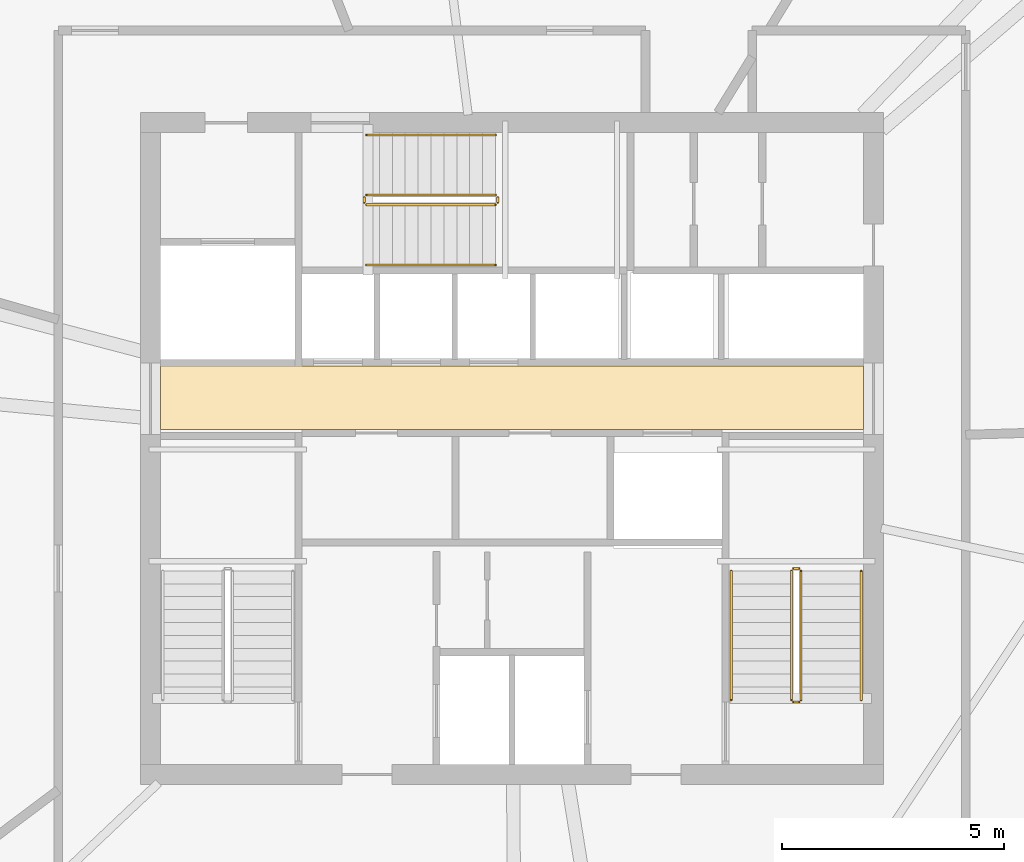
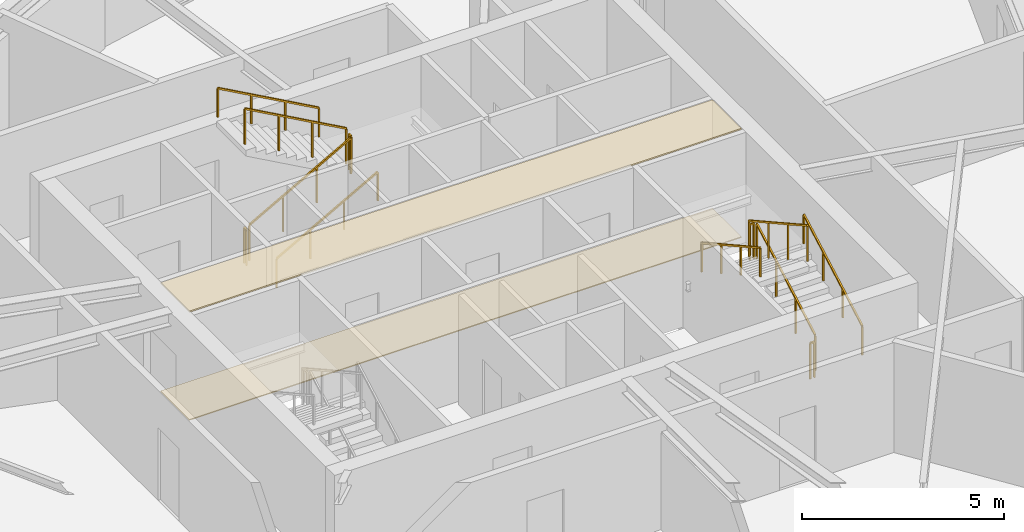
# One storey, part 12 of 13: 12 railings, 2 coverings.
"""IFC4 building model written with IfcOpenShell, lengths in metres."""

import ifcopenshell
import ifcopenshell.guid

model = None  # the IFC model being written
_history = None  # IfcOwnerHistory: only IFC2X3 demands one
_inside = {}  # id of a spatial element -> (the spatial element, [elements in it])
_under = {}  # id of a project, library or spatial element -> (it, [spatial elements below it])
_declared = {}  # id of a project -> (the project, [libraries it declares])
_typed = {}  # id of a type object -> (the type object, [elements of that type])
_made_of = {}  # id of a material, layer set ... -> (it, [elements and type objects made of it])


def new_model(schema):
    """Start an empty IFC model of exactly this schema.

    Asked for "IFC4X3", IfcOpenShell would pick the latest addendum, in which some entities
    have other attributes; the version numbers below select the first issue.
    IFC2X3 requires an IfcOwnerHistory on every rooted entity: one is made here for all.
    """
    global model, _history
    if schema == "IFC4X3":
        model = ifcopenshell.file(schema_version=(4, 3, 0, 0))
    else:
        model = ifcopenshell.file(schema=schema)
    _inside.clear()
    _under.clear()
    _declared.clear()
    _typed.clear()
    _made_of.clear()
    _history = None
    if model.schema == "IFC2X3":
        org = make("IfcOrganization", Name="unknown")
        user = make(
            "IfcPersonAndOrganization",
            ThePerson=make("IfcPerson", FamilyName="unknown"),
            TheOrganization=org,
        )
        app = make(
            "IfcApplication",
            ApplicationDeveloper=org,
            Version="unknown",
            ApplicationFullName="unknown",
            ApplicationIdentifier="unknown",
        )
        _history = make(
            "IfcOwnerHistory",
            OwningUser=user,
            OwningApplication=app,
            ChangeAction="ADDED",
            CreationDate=0,
        )
    return model


def make(cls, **values):
    """One entity of the class cls with the attributes given. An attribute that is None is left unset."""
    return model.create_entity(
        cls, **{name: value for name, value in values.items() if value is not None}
    )


def rooted(cls, **values):
    """An entity with a GlobalId (a new one), such as an element, a storey or a relation."""
    return make(cls, GlobalId=ifcopenshell.guid.new(), OwnerHistory=_history, **values)


def si_unit(unit_type, name, prefix=None):
    """IfcSIUnit, for example si_unit("LENGTHUNIT", "METRE", prefix="MILLI")."""
    return make("IfcSIUnit", UnitType=unit_type, Prefix=prefix, Name=name)


def assignment(units):
    """IfcUnitAssignment: the units of a project."""
    return None if units is None else make("IfcUnitAssignment", Units=units)


def point(xyz):
    """IfcCartesianPoint."""
    return None if xyz is None else make("IfcCartesianPoint", Coordinates=xyz)


def direction(xyz):
    """IfcDirection."""
    return None if xyz is None else make("IfcDirection", DirectionRatios=xyz)


def frame(location, z_axis=None, x_axis=None):
    """IfcAxis2Placement3D, a coordinate frame: its origin and axes. An axis left out is left unset."""
    return make(
        "IfcAxis2Placement3D",
        Location=point(location),
        Axis=direction(z_axis),
        RefDirection=direction(x_axis),
    )


def frame_2d(location, x_axis=None):
    """IfcAxis2Placement2D, a coordinate frame in the plane: its origin and x axis."""
    return make(
        "IfcAxis2Placement2D", Location=point(location), RefDirection=direction(x_axis)
    )


def origin():
    """The frame at (0, 0, 0) with its axes left unset."""
    return frame((0.0, 0.0, 0.0))


def origin_2d():
    """The frame at (0, 0) in the plane with its x axis left unset."""
    return frame_2d((0.0, 0.0))


def place(relative_to, where):
    """IfcLocalPlacement: puts the frame where relative to a parent placement (None: the world)."""
    return make(
        "IfcLocalPlacement", PlacementRelTo=relative_to, RelativePlacement=where
    )


def context(
    kind, dimensions, precision=None, world=None, true_north=None, identifier=None
):
    """IfcGeometricRepresentationContext, for example the 3D "Model" context."""
    return make(
        "IfcGeometricRepresentationContext",
        ContextIdentifier=identifier,
        ContextType=kind,
        CoordinateSpaceDimension=dimensions,
        Precision=precision,
        WorldCoordinateSystem=world,
        TrueNorth=true_north,
    )


def subcontext(parent, identifier, kind, view, scale=None):
    """IfcGeometricRepresentationSubContext, for example "Body" below "Model"."""
    return make(
        "IfcGeometricRepresentationSubContext",
        ContextIdentifier=identifier,
        ContextType=kind,
        ParentContext=parent,
        TargetScale=scale,
        TargetView=view,
    )


def project(units=None, contexts=None):
    """IfcProject with its units and contexts."""
    return rooted(
        "IfcProject",
        Name="project",
        RepresentationContexts=contexts,
        UnitsInContext=assignment(units),
    )


def spatial(cls, under=None, at=None, **own):
    """A site, building, storey or space (cls), placed at a placement, below another one or the project."""
    s = rooted(cls, ObjectPlacement=at, **own)
    if under is not None:
        _under.setdefault(under.id(), (under, []))[1].append(s)
    return s


def polyline(points):
    """IfcPolyline through the points."""
    return make("IfcPolyline", Points=[point(p) for p in points])


def profile(cls, at=None, kind="AREA", **sizes):
    """A parametric profile (cls). Its sizes go by their IFC names, for example OverallWidth=200.0."""
    return make(cls, ProfileType=kind, Position=at, **sizes)


def rectangle(**sizes):
    """IfcRectangleProfileDef."""
    return profile("IfcRectangleProfileDef", **sizes)


def outline(outer, holes=None, kind="AREA"):
    """IfcArbitraryClosedProfileDef: a profile drawn as a closed curve; with holes, ...WithVoids."""
    if holes is None:
        return make("IfcArbitraryClosedProfileDef", ProfileType=kind, OuterCurve=outer)
    return make(
        "IfcArbitraryProfileDefWithVoids",
        ProfileType=kind,
        OuterCurve=outer,
        InnerCurves=holes,
    )


def extrude(swept, where, along, depth):
    """IfcExtrudedAreaSolid: the profile swept, set in the frame where, extruded along a direction by depth."""
    return make(
        "IfcExtrudedAreaSolid",
        SweptArea=swept,
        Position=where,
        ExtrudedDirection=direction(along),
        Depth=depth,
    )


def shape(context_of_items, identifier, shape_type, items):
    """IfcShapeRepresentation: the items that make up one representation, for example the "Body"."""
    return make(
        "IfcShapeRepresentation",
        ContextOfItems=context_of_items,
        RepresentationIdentifier=identifier,
        RepresentationType=shape_type,
        Items=items,
    )


def material(Name=None, Category=None):
    """IfcMaterial."""
    return make("IfcMaterial", Name=Name, Category=Category)


def layer(
    of_material, thickness, ventilated=None, Name=None, Category=None, Priority=None
):
    """IfcMaterialLayer: one layer of a wall or slab, of a material (None: an air gap)."""
    return make(
        "IfcMaterialLayer",
        Material=of_material,
        LayerThickness=thickness,
        IsVentilated=ventilated,
        Name=Name,
        Category=Category,
        Priority=Priority,
    )


def layer_set(layers, Name=None):
    """IfcMaterialLayerSet."""
    return make("IfcMaterialLayerSet", MaterialLayers=layers, LayerSetName=Name)


def made_of(thing, what):
    """Note that an element or type object is made of a material, layer set ...; save() writes the relation."""
    if what is not None:
        _made_of.setdefault(what.id(), (what, []))[1].append(thing)
    return thing


def type_object(cls, material=None, **own):
    """A type object (cls), such as IfcWallType, which elements share."""
    return made_of(rooted(cls, **own), material)


def element(
    cls,
    number,
    at=None,
    inside=None,
    cuts=None,
    type_object=None,
    material=None,
    context=None,
    identifier="Body",
    shape_type=None,
    held_by="IfcProductDefinitionShape",
    body=None,
    shapes=None,
    **own,
):
    """One element of the class cls, such as IfcWall. Its Tag is "e" and its number.

    at: its placement. inside: the storey or other place that contains it. cuts: it is an
    opening in that element (IfcRelVoidsElement). A single representation is given by context,
    identifier, shape_type and body (its items); several are given by shapes. held_by: the class
    of the entity that holds the representations. save() writes the other relations.
    """
    e = rooted(cls, Tag="e%d" % number, ObjectPlacement=at, **own)
    if body is not None:
        shapes = [shape(context, identifier, shape_type, body)]
    if shapes is not None:
        e.Representation = make(held_by, Representations=shapes)
    if inside is not None:
        _inside.setdefault(inside.id(), (inside, []))[1].append(e)
    if cuts is not None:
        rooted(
            "IfcRelVoidsElement", RelatingBuildingElement=cuts, RelatedOpeningElement=e
        )
    if type_object is not None:
        _typed.setdefault(type_object.id(), (type_object, []))[1].append(e)
    return made_of(e, material)


def aggregate(whole, parts):
    """IfcRelAggregates: a whole, such as a stair, and the parts it consists of."""
    return rooted("IfcRelAggregates", RelatingObject=whole, RelatedObjects=parts)


def save(model, path):
    """Write the relations noted so far, then the file.

    IfcRelAggregates (storeys below a building ...), IfcRelContainedInSpatialStructure (elements
    in a storey), IfcRelDefinesByType, IfcRelAssociatesMaterial and IfcRelDeclares: one each for
    every whole, place, type object, material and project.
    """
    for whole, parts in _under.values():
        aggregate(whole, parts)
    for where, things in _inside.values():
        rooted(
            "IfcRelContainedInSpatialStructure",
            RelatedElements=things,
            RelatingStructure=where,
        )
    for kind, things in _typed.values():
        rooted("IfcRelDefinesByType", RelatedObjects=things, RelatingType=kind)
    for what, things in _made_of.values():
        rooted("IfcRelAssociatesMaterial", RelatedObjects=things, RelatingMaterial=what)
    for by, libraries in _declared.values():
        rooted("IfcRelDeclares", RelatingContext=by, RelatedDefinitions=libraries)
    model.write(path)


model = new_model("IFC4")

# Units and contexts
model_context = context("Model", 3, precision=1e-05, world=origin(), true_north=direction((0.0, 1.0)))
body_context = subcontext(model_context, "Body", "Model", "MODEL_VIEW")
ifc_project = project(units=[si_unit("LENGTHUNIT", "METRE"), si_unit("AREAUNIT", "SQUARE_METRE"), si_unit("VOLUMEUNIT", "CUBIC_METRE"), si_unit("PLANEANGLEUNIT", "RADIAN"), si_unit("MASSUNIT", "GRAM", prefix="KILO")], contexts=[model_context])

# Site, building, storey
site_placement = place(None, origin())
site = spatial("IfcSite", under=ifc_project, at=site_placement, CompositionType="ELEMENT")
building_placement = place(site_placement, origin())
building = spatial("IfcBuilding", under=site, at=building_placement, Name="Olszyna Solenne Hotel", CompositionType="ELEMENT")
storey_placement = place(building_placement, frame((0.0, 0.0, 209.60009765625)))
storey = spatial("IfcBuildingStorey", under=building, at=storey_placement, Name="L55", CompositionType="ELEMENT", Elevation=209.60009765625)

# Coverings
ifc_material_1 = material(Name="Mineral wool acoustic ceiling")
ifc_layer_1 = layer(ifc_material_1, 0.0400390625, Name="Mineral wool acoustic ceiling")
ifc_layer_set_1 = layer_set([ifc_layer_1], Name="Mineral wool acoustic ceiling")
covering_type_1 = type_object("IfcCoveringType", Name="CL-AC1", PredefinedType="CEILING", material=ifc_layer_set_1)
covering_1_placement = place(storey_placement, frame((0.0, 0.0, 3.27001953125)))
element("IfcCovering", 1, at=covering_1_placement, inside=storey, type_object=covering_type_1, Name="Lift lobby acoustic tile ceiling CL-L55-01", PredefinedType="CEILING", context=body_context, shape_type="SweptSolid", body=[
    extrude(outline(polyline([(30.10009765625, 27.030029296875), (45.89990234375, 27.030029296875), (45.89990234375, 28.4599609375), (30.10009765625, 28.4599609375), (30.10009765625, 27.030029296875)])), origin(), (0.0, 0.0, 1.0), 0.039794921875),
])
ifc_material_2 = material(Name="Ceramic floor tile")
ifc_layer_2 = layer(ifc_material_2, 0.030029296875, Name="Ceramic floor tile")
ifc_layer_set_2 = layer_set([ifc_layer_2], Name="Ceramic floor tile")
covering_type_2 = type_object("IfcCoveringType", Name="FL-TL1", PredefinedType="FLOORING", material=ifc_layer_set_2)
covering_2_placement = place(storey_placement, origin())
element("IfcCovering", 2, at=covering_2_placement, inside=storey, type_object=covering_type_2, Name="Lift lobby stoneware floor finish FLR-L55-01", PredefinedType="FLOORING", context=body_context, shape_type="SweptSolid", body=[
    extrude(outline(polyline([(30.10009765625, 27.030029296875), (45.89990234375, 27.030029296875), (45.89990234375, 28.4599609375), (30.10009765625, 28.4599609375), (30.10009765625, 27.030029296875)])), origin(), (0.0, 0.0, 1.0), 0.02978515625),
])

# Railings
ifc_material_3 = material(Name="Anodised bronze aluminium", Category="aluminium")
railing_type_1 = type_object("IfcRailingType", Name="GR-110", PredefinedType="BALUSTRADE", material=ifc_material_3)
railing_1_placement = place(storey_placement, frame((44.5, 20.949951171875, 0.161376953125)))
element("IfcRailing", 3, at=railing_1_placement, inside=storey, type_object=railing_type_1, Name="L55 ST2 stair guard 1", PredefinedType="BALUSTRADE", context=body_context, shape_type="SweptSolid", body=[
    extrude(rectangle(XDim=0.048095703125, YDim=0.048095703125, at=origin_2d()), frame((0.0, 0.0, 1.076171875), z_axis=(0.0, 0.873858693841, 0.486179990537), x_axis=(-1.0, 0.0, 0.0)), (0.0, 0.0, 1.0), 3.31884765625),
    extrude(rectangle(XDim=0.0419921875, YDim=0.0419921875, at=origin_2d()), origin(), (0.0, 0.0, 1.0), 1.052001953125),
    extrude(rectangle(XDim=0.0419921875, YDim=0.0419921875, at=origin_2d()), frame((0.0, 0.966796875, 0.537841796875)), (0.0, 0.0, 1.0), 1.052001953125),
    extrude(rectangle(XDim=0.0419921875, YDim=0.0419921875, at=origin_2d()), frame((0.0, 1.933349609375, 1.07568359375)), (0.0, 0.0, 1.0), 1.052001953125),
    extrude(rectangle(XDim=0.0419921875, YDim=0.0419921875, at=origin_2d()), frame((0.0, 2.900146484375, 1.613525390625)), (0.0, 0.0, 1.0), 1.052001953125),
])
railing_2_placement = place(storey_placement, frame((44.449951171875, 23.89990234375, 1.77490234375)))
element("IfcRailing", 4, at=railing_2_placement, inside=storey, type_object=railing_type_1, Name="L55 ST2 stair guard 2", PredefinedType="BALUSTRADE", context=body_context, shape_type="SweptSolid", body=[
    extrude(rectangle(XDim=0.048095703125, YDim=0.048095703125, at=origin_2d()), frame((0.0, 0.0, 1.076171875), z_axis=(-1.0, 0.0, 0.0), x_axis=(0.0, -1.0, 0.0)), (0.0, 0.0, 1.0), 0.119873046875),
    extrude(rectangle(XDim=0.0419921875, YDim=0.0419921875, at=origin_2d()), origin(), (0.0, 0.0, 1.0), 1.052001953125),
    extrude(rectangle(XDim=0.0419921875, YDim=0.0419921875, at=origin_2d()), frame((-0.119873046875, 0.0, 0.0)), (0.0, 0.0, 1.0), 1.052001953125),
])
railing_3_placement = place(storey_placement, frame((44.280029296875, 23.85009765625, 1.936279296875)))
element("IfcRailing", 5, at=railing_3_placement, inside=storey, type_object=railing_type_1, Name="L55 ST2 stair guard 3", PredefinedType="BALUSTRADE", context=body_context, shape_type="SweptSolid", body=[
    extrude(rectangle(XDim=0.048095703125, YDim=0.048095703125, at=origin_2d()), frame((0.0, 0.0, 1.076171875), z_axis=(0.0, -0.873858693841, 0.486179990537), x_axis=(1.0, 0.0, 0.0)), (0.0, 0.0, 1.0), 3.31884765625),
    extrude(rectangle(XDim=0.0419921875, YDim=0.0419921875, at=origin_2d()), origin(), (0.0, 0.0, 1.0), 1.052001953125),
    extrude(rectangle(XDim=0.0419921875, YDim=0.0419921875, at=origin_2d()), frame((0.0, -0.966796875, 0.537841796875)), (0.0, 0.0, 1.0), 1.052001953125),
    extrude(rectangle(XDim=0.0419921875, YDim=0.0419921875, at=origin_2d()), frame((0.0, -1.933349609375, 1.07568359375)), (0.0, 0.0, 1.0), 1.052001953125),
    extrude(rectangle(XDim=0.0419921875, YDim=0.0419921875, at=origin_2d()), frame((0.0, -2.900146484375, 1.613525390625)), (0.0, 0.0, 1.0), 1.052001953125),
])
railing_4_placement = place(storey_placement, frame((44.449951171875, 20.89990234375, 0.0)))
element("IfcRailing", 6, at=railing_4_placement, inside=storey, type_object=railing_type_1, Name="L55 ST2 stair guard 4", PredefinedType="BALUSTRADE", context=body_context, shape_type="SweptSolid", body=[
    extrude(rectangle(XDim=0.048095703125, YDim=0.048095703125, at=origin_2d()), frame((0.0, 0.0, 1.076171875), z_axis=(-1.0, 0.0, 0.0), x_axis=(0.0, -1.0, 0.0)), (0.0, 0.0, 1.0), 0.119873046875),
    extrude(rectangle(XDim=0.0419921875, YDim=0.0419921875, at=origin_2d()), origin(), (0.0, 0.0, 1.0), 1.052001953125),
    extrude(rectangle(XDim=0.0419921875, YDim=0.0419921875, at=origin_2d()), frame((-0.119873046875, 0.0, 0.0)), (0.0, 0.0, 1.0), 1.052001953125),
])
railing_5_placement = place(storey_placement, frame((34.72998046875, 32.080078125, 0.161376953125)))
element("IfcRailing", 7, at=railing_5_placement, inside=storey, type_object=railing_type_1, Name="L55 ST3 stair guard 1", PredefinedType="BALUSTRADE", context=body_context, shape_type="SweptSolid", body=[
    extrude(rectangle(XDim=0.048095703125, YDim=0.048095703125, at=origin_2d()), frame((0.0, 0.0, 1.076171875), z_axis=(0.873841303929, 0.0, 0.486211245805), x_axis=(0.0, 1.0, 0.0)), (0.0, 0.0, 1.0), 3.318603515625),
    extrude(rectangle(XDim=0.0419921875, YDim=0.0419921875, at=origin_2d()), origin(), (0.0, 0.0, 1.0), 1.052001953125),
    extrude(rectangle(XDim=0.0419921875, YDim=0.0419921875, at=origin_2d()), frame((0.966552734375, 0.0, 0.537841796875)), (0.0, 0.0, 1.0), 1.052001953125),
    extrude(rectangle(XDim=0.0419921875, YDim=0.0419921875, at=origin_2d()), frame((1.933349609375, 0.0, 1.07568359375)), (0.0, 0.0, 1.0), 1.052001953125),
    extrude(rectangle(XDim=0.0419921875, YDim=0.0419921875, at=origin_2d()), frame((2.89990234375, 0.0, 1.613525390625)), (0.0, 0.0, 1.0), 1.052001953125),
])
railing_6_placement = place(storey_placement, frame((37.679931640625, 32.1298828125, 1.77490234375)))
element("IfcRailing", 8, at=railing_6_placement, inside=storey, type_object=railing_type_1, Name="L55 ST3 stair guard 2", PredefinedType="BALUSTRADE", context=body_context, shape_type="SweptSolid", body=[
    extrude(rectangle(XDim=0.048095703125, YDim=0.048095703125, at=origin_2d()), frame((0.0, 0.0, 1.076171875), z_axis=(0.0, 1.0, 0.0), x_axis=(-1.0, 0.0, 0.0)), (0.0, 0.0, 1.0), 0.1201171875),
    extrude(rectangle(XDim=0.0419921875, YDim=0.0419921875, at=origin_2d()), origin(), (0.0, 0.0, 1.0), 1.052001953125),
    extrude(rectangle(XDim=0.0419921875, YDim=0.0419921875, at=origin_2d()), frame((0.0, 0.1201171875, 0.0)), (0.0, 0.0, 1.0), 1.052001953125),
])
railing_7_placement = place(storey_placement, frame((37.6298828125, 32.300048828125, 1.936279296875)))
element("IfcRailing", 9, at=railing_7_placement, inside=storey, type_object=railing_type_1, Name="L55 ST3 stair guard 3", PredefinedType="BALUSTRADE", context=body_context, shape_type="SweptSolid", body=[
    extrude(rectangle(XDim=0.048095703125, YDim=0.048095703125, at=origin_2d()), frame((0.0, 0.0, 1.076171875), z_axis=(-0.873841303929, 0.0, 0.486211245805), x_axis=(0.0, -1.0, 0.0)), (0.0, 0.0, 1.0), 3.318603515625),
    extrude(rectangle(XDim=0.0419921875, YDim=0.0419921875, at=origin_2d()), origin(), (0.0, 0.0, 1.0), 1.052001953125),
    extrude(rectangle(XDim=0.0419921875, YDim=0.0419921875, at=origin_2d()), frame((-0.966552734375, 0.0, 0.537841796875)), (0.0, 0.0, 1.0), 1.052001953125),
    extrude(rectangle(XDim=0.0419921875, YDim=0.0419921875, at=origin_2d()), frame((-1.933349609375, 0.0, 1.07568359375)), (0.0, 0.0, 1.0), 1.052001953125),
    extrude(rectangle(XDim=0.0419921875, YDim=0.0419921875, at=origin_2d()), frame((-2.89990234375, 0.0, 1.613525390625)), (0.0, 0.0, 1.0), 1.052001953125),
])
railing_8_placement = place(storey_placement, frame((34.679931640625, 32.1298828125, 0.0)))
element("IfcRailing", 10, at=railing_8_placement, inside=storey, type_object=railing_type_1, Name="L55 ST3 stair guard 4", PredefinedType="BALUSTRADE", context=body_context, shape_type="SweptSolid", body=[
    extrude(rectangle(XDim=0.048095703125, YDim=0.048095703125, at=origin_2d()), frame((0.0, 0.0, 1.076171875), z_axis=(0.0, 1.0, 0.0), x_axis=(-1.0, 0.0, 0.0)), (0.0, 0.0, 1.0), 0.1201171875),
    extrude(rectangle(XDim=0.0419921875, YDim=0.0419921875, at=origin_2d()), origin(), (0.0, 0.0, 1.0), 1.052001953125),
    extrude(rectangle(XDim=0.0419921875, YDim=0.0419921875, at=origin_2d()), frame((0.0, 0.1201171875, 0.0)), (0.0, 0.0, 1.0), 1.052001953125),
])
ifc_material_4 = material(Name="Steel S355J2", Category="steel")
railing_type_2 = type_object("IfcRailingType", Name="HR-090", PredefinedType="HANDRAIL", material=ifc_material_4)
railing_9_placement = place(storey_placement, frame((45.85009765625, 20.949951171875, 0.161376953125)))
element("IfcRailing", 11, at=railing_9_placement, inside=storey, type_object=railing_type_2, Name="L55 ST2 stair handrail 1", PredefinedType="HANDRAIL", context=body_context, shape_type="SweptSolid", body=[
    extrude(rectangle(XDim=0.048095703125, YDim=0.048095703125, at=origin_2d()), frame((0.0, 0.0, 0.8759765625), z_axis=(0.0, 0.873858693841, 0.486179990537), x_axis=(-1.0, 0.0, 0.0)), (0.0, 0.0, 1.0), 3.31884765625),
    extrude(rectangle(XDim=0.0419921875, YDim=0.0419921875, at=origin_2d()), origin(), (0.0, 0.0, 1.0), 0.851806640625),
    extrude(rectangle(XDim=0.0419921875, YDim=0.0419921875, at=origin_2d()), frame((0.0, 0.966796875, 0.537841796875)), (0.0, 0.0, 1.0), 0.851806640625),
    extrude(rectangle(XDim=0.0419921875, YDim=0.0419921875, at=origin_2d()), frame((0.0, 1.933349609375, 1.07568359375)), (0.0, 0.0, 1.0), 0.851806640625),
    extrude(rectangle(XDim=0.0419921875, YDim=0.0419921875, at=origin_2d()), frame((0.0, 2.900146484375, 1.613525390625)), (0.0, 0.0, 1.0), 0.851806640625),
])
railing_10_placement = place(storey_placement, frame((42.929931640625, 23.85009765625, 1.936279296875)))
element("IfcRailing", 12, at=railing_10_placement, inside=storey, type_object=railing_type_2, Name="L55 ST2 stair handrail 2", PredefinedType="HANDRAIL", context=body_context, shape_type="SweptSolid", body=[
    extrude(rectangle(XDim=0.048095703125, YDim=0.048095703125, at=origin_2d()), frame((0.0, 0.0, 0.8759765625), z_axis=(0.0, -0.873858693841, 0.486179990537), x_axis=(1.0, 0.0, 0.0)), (0.0, 0.0, 1.0), 3.31884765625),
    extrude(rectangle(XDim=0.0419921875, YDim=0.0419921875, at=origin_2d()), origin(), (0.0, 0.0, 1.0), 0.851806640625),
    extrude(rectangle(XDim=0.0419921875, YDim=0.0419921875, at=origin_2d()), frame((0.0, -0.966796875, 0.537841796875)), (0.0, 0.0, 1.0), 0.851806640625),
    extrude(rectangle(XDim=0.0419921875, YDim=0.0419921875, at=origin_2d()), frame((0.0, -1.933349609375, 1.07568359375)), (0.0, 0.0, 1.0), 0.851806640625),
    extrude(rectangle(XDim=0.0419921875, YDim=0.0419921875, at=origin_2d()), frame((0.0, -2.900146484375, 1.613525390625)), (0.0, 0.0, 1.0), 0.851806640625),
])
railing_11_placement = place(storey_placement, frame((34.72998046875, 30.72998046875, 0.161376953125)))
element("IfcRailing", 13, at=railing_11_placement, inside=storey, type_object=railing_type_2, Name="L55 ST3 stair handrail 1", PredefinedType="HANDRAIL", context=body_context, shape_type="SweptSolid", body=[
    extrude(rectangle(XDim=0.048095703125, YDim=0.048095703125, at=origin_2d()), frame((0.0, 0.0, 0.8759765625), z_axis=(0.873841303929, 0.0, 0.486211245805), x_axis=(0.0, 1.0, 0.0)), (0.0, 0.0, 1.0), 3.318603515625),
    extrude(rectangle(XDim=0.0419921875, YDim=0.0419921875, at=origin_2d()), origin(), (0.0, 0.0, 1.0), 0.851806640625),
    extrude(rectangle(XDim=0.0419921875, YDim=0.0419921875, at=origin_2d()), frame((0.966552734375, 0.0, 0.537841796875)), (0.0, 0.0, 1.0), 0.851806640625),
    extrude(rectangle(XDim=0.0419921875, YDim=0.0419921875, at=origin_2d()), frame((1.933349609375, 0.0, 1.07568359375)), (0.0, 0.0, 1.0), 0.851806640625),
    extrude(rectangle(XDim=0.0419921875, YDim=0.0419921875, at=origin_2d()), frame((2.89990234375, 0.0, 1.613525390625)), (0.0, 0.0, 1.0), 0.851806640625),
])
railing_12_placement = place(storey_placement, frame((37.6298828125, 33.64990234375, 1.936279296875)))
element("IfcRailing", 14, at=railing_12_placement, inside=storey, type_object=railing_type_2, Name="L55 ST3 stair handrail 2", PredefinedType="HANDRAIL", context=body_context, shape_type="SweptSolid", body=[
    extrude(rectangle(XDim=0.048095703125, YDim=0.048095703125, at=origin_2d()), frame((0.0, 0.0, 0.8759765625), z_axis=(-0.873841303929, 0.0, 0.486211245805), x_axis=(0.0, -1.0, 0.0)), (0.0, 0.0, 1.0), 3.318603515625),
    extrude(rectangle(XDim=0.0419921875, YDim=0.0419921875, at=origin_2d()), origin(), (0.0, 0.0, 1.0), 0.851806640625),
    extrude(rectangle(XDim=0.0419921875, YDim=0.0419921875, at=origin_2d()), frame((-0.966552734375, 0.0, 0.537841796875)), (0.0, 0.0, 1.0), 0.851806640625),
    extrude(rectangle(XDim=0.0419921875, YDim=0.0419921875, at=origin_2d()), frame((-1.933349609375, 0.0, 1.07568359375)), (0.0, 0.0, 1.0), 0.851806640625),
    extrude(rectangle(XDim=0.0419921875, YDim=0.0419921875, at=origin_2d()), frame((-2.89990234375, 0.0, 1.613525390625)), (0.0, 0.0, 1.0), 0.851806640625),
])

save(model, "model.ifc")
